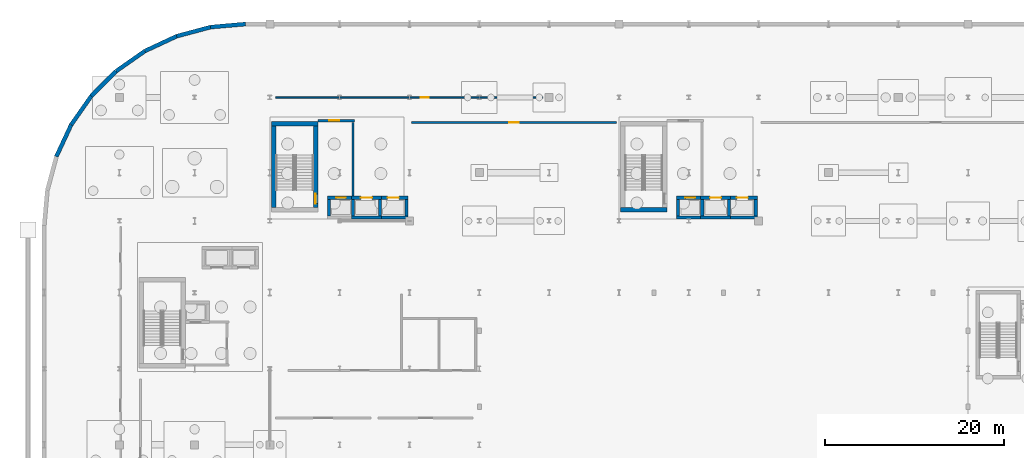
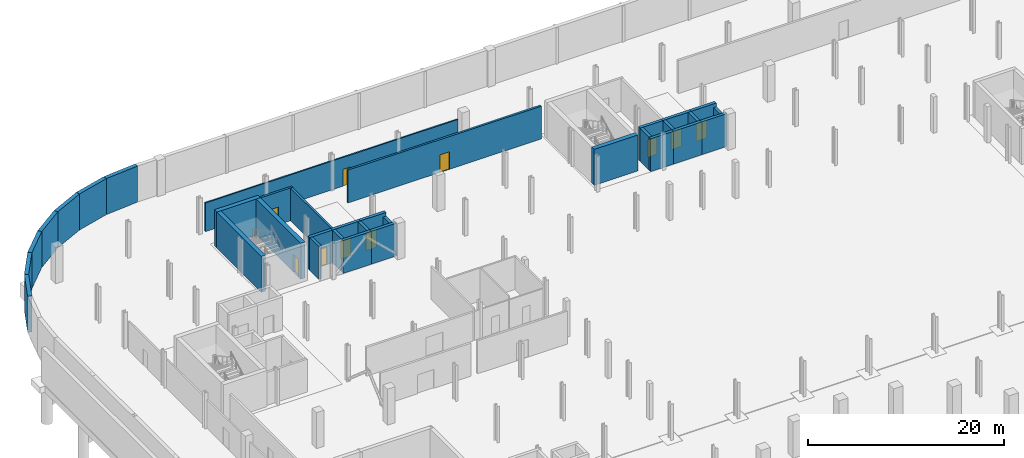
# One storey, part 27 of 45: 34 walls, 10 doors, 10 openings.
"""IFC4 building model written with IfcOpenShell, lengths in metres."""

from ifc_helpers import new_model, si_unit, direction, frame, frame_2d, origin, place, context, subcontext, project, spatial, rectangle, extrude, material, layer, layer_set, type_object, element, fill, save


model = new_model("IFC4")

# Units and contexts
model_context = context("Model", 3, precision=1e-05, world=origin(), true_north=direction((0.0, 1.0)))
body_context = subcontext(model_context, "Body", "Model", "MODEL_VIEW")
ifc_project = project(units=[si_unit("LENGTHUNIT", "METRE"), si_unit("AREAUNIT", "SQUARE_METRE"), si_unit("VOLUMEUNIT", "CUBIC_METRE"), si_unit("PLANEANGLEUNIT", "RADIAN"), si_unit("MASSUNIT", "GRAM", prefix="KILO")], contexts=[model_context])

# Site, building, storey
site_placement = place(None, origin())
site = spatial("IfcSite", under=ifc_project, at=site_placement, CompositionType="ELEMENT")
building_placement = place(site_placement, origin())
building = spatial("IfcBuilding", under=site, at=building_placement, Name="Sefraquen Railside Congress Hotel", CompositionType="ELEMENT")
storey_placement = place(building_placement, frame((0.0, 0.0, -4.5)))
storey = spatial("IfcBuildingStorey", under=building, at=storey_placement, Name="B01", CompositionType="ELEMENT", Elevation=-4.5)

# Wall, opening, door
ifc_material_1 = material(Name="Concrete C50/60", Category="concrete")
ifc_layer_1 = layer(ifc_material_1, 0.35009765625)
ifc_layer_set_1 = layer_set([ifc_layer_1], Name="Concrete C50/60")
wall_type_1 = type_object("IfcWallType", Name="TW-CW-350", PredefinedType="SHEAR", material=ifc_layer_set_1)
wall_1_placement = place(storey_placement, frame((31.639892578125, 98.594970703125, 0.0), z_axis=(0.0, 0.0, 1.0), x_axis=(1.0, 0.0, 0.0)))
wall_1 = element("IfcWall", 1, at=wall_1_placement, inside=storey, type_object=wall_type_1, Name="Lift FL-02 shaft wall N B01", PredefinedType="SHEAR", context=body_context, shape_type="SweptSolid", body=[
    extrude(rectangle(XDim=2.690185546875, YDim=0.35009765625, at=frame_2d((1.34521484375, 0.0))), origin(), (0.0, 0.0, 1.0), 4.10009765625),
])
opening_1_placement = place(wall_1_placement, frame((0.969970703125, 0.0, 0.0)))
opening_1 = element("IfcOpeningElement", 2, at=opening_1_placement, cuts=wall_1, Name="Opening LD-01", PredefinedType="OPENING", context=body_context, shape_type="SweptSolid", body=[
    extrude(rectangle(XDim=1.10009765625, YDim=2.199951171875, at=frame_2d((0.550048828125, 1.10009765625))), frame((0.0, 0.18505859375, 0.0), z_axis=(0.0, -1.0, 0.0), x_axis=(1.0, 0.0, 0.0)), (0.0, 0.0, 1.0), 0.3701171875),
])
ifc_material_2 = material(Name="Brushed bronze stainless steel", Category="steel")
door_type_1 = type_object("IfcDoorType", Name="TD-LD-01", OperationType="NOTDEFINED", PredefinedType="DOOR", material=ifc_material_2)
door_1_placement = place(opening_1_placement, origin())
door_1 = element("IfcDoor", 3, at=door_1_placement, inside=storey, type_object=door_type_1, Name="Lift landing door FL-02 B01", OperationType="SLIDING_TO_LEFT", OverallHeight=2.199951171875, OverallWidth=1.10009765625, PredefinedType="DOOR", context=body_context, shape_type="SweptSolid", body=[
    extrude(rectangle(XDim=1.10009765625, YDim=2.199951171875, at=frame_2d((0.550048828125, 1.10009765625))), frame((0.0, 0.02490234375, 0.0), z_axis=(0.0, -1.0, 0.0), x_axis=(1.0, 0.0, 0.0)), (0.0, 0.0, 1.0), 0.050048828125),
])
fill(opening_1, door_1)

# Wall
wall_2_placement = place(storey_placement, frame((31.81494140625, 96.580078125, 0.0), z_axis=(0.0, 0.0, 1.0), x_axis=(0.0, 1.0, 0.0)))
element("IfcWall", 4, at=wall_2_placement, inside=storey, type_object=wall_type_1, Name="Lift FL-02 shaft wall W B01", PredefinedType="SHEAR", context=body_context, shape_type="SweptSolid", body=[
    extrude(rectangle(XDim=1.83984375, YDim=0.35009765625, at=frame_2d((0.919921875, 0.0))), origin(), (0.0, 0.0, 1.0), 4.10009765625),
])

# Wall, opening, door
wall_3_placement = place(storey_placement, frame((70.639892578125, 98.594970703125, 0.0), z_axis=(0.0, 0.0, 1.0), x_axis=(1.0, 0.0, 0.0)))
wall_3 = element("IfcWall", 5, at=wall_3_placement, inside=storey, type_object=wall_type_1, Name="Lift FL-03 shaft wall N B01", PredefinedType="SHEAR", context=body_context, shape_type="SweptSolid", body=[
    extrude(rectangle(XDim=2.690185546875, YDim=0.35009765625, at=frame_2d((1.34521484375, 0.0))), origin(), (0.0, 0.0, 1.0), 4.10009765625),
])
opening_2_placement = place(wall_3_placement, frame((0.969970703125, 0.0, 0.0)))
opening_2 = element("IfcOpeningElement", 6, at=opening_2_placement, cuts=wall_3, Name="Opening LD-01", PredefinedType="OPENING", context=body_context, shape_type="SweptSolid", body=[
    extrude(rectangle(XDim=1.10009765625, YDim=2.199951171875, at=frame_2d((0.550048828125, 1.10009765625))), frame((0.0, 0.18505859375, 0.0), z_axis=(0.0, -1.0, 0.0), x_axis=(1.0, 0.0, 0.0)), (0.0, 0.0, 1.0), 0.3701171875),
])
door_2_placement = place(opening_2_placement, origin())
door_2 = element("IfcDoor", 7, at=door_2_placement, inside=storey, type_object=door_type_1, Name="Lift landing door FL-03 B01", OperationType="SLIDING_TO_LEFT", OverallHeight=2.199951171875, OverallWidth=1.10009765625, PredefinedType="DOOR", context=body_context, shape_type="SweptSolid", body=[
    extrude(rectangle(XDim=1.10009765625, YDim=2.199951171875, at=frame_2d((0.550048828125, 1.10009765625))), frame((0.0, 0.02490234375, 0.0), z_axis=(0.0, -1.0, 0.0), x_axis=(1.0, 0.0, 0.0)), (0.0, 0.0, 1.0), 0.050048828125),
])
fill(opening_2, door_2)

# Walls
wall_4_placement = place(storey_placement, frame((70.639892578125, 96.405029296875, 0.0), z_axis=(0.0, 0.0, 1.0), x_axis=(1.0, 0.0, 0.0)))
element("IfcWall", 8, at=wall_4_placement, inside=storey, type_object=wall_type_1, Name="Lift FL-03 shaft wall S B01", PredefinedType="SHEAR", context=body_context, shape_type="SweptSolid", body=[
    extrude(rectangle(XDim=2.690185546875, YDim=0.35009765625, at=frame_2d((1.34521484375, 0.0))), origin(), (0.0, 0.0, 1.0), 4.10009765625),
])
wall_5_placement = place(storey_placement, frame((70.81494140625, 96.580078125, 0.0), z_axis=(0.0, 0.0, 1.0), x_axis=(0.0, 1.0, 0.0)))
element("IfcWall", 9, at=wall_5_placement, inside=storey, type_object=wall_type_1, Name="Lift FL-03 shaft wall W B01", PredefinedType="SHEAR", context=body_context, shape_type="SweptSolid", body=[
    extrude(rectangle(XDim=1.83984375, YDim=0.35009765625, at=frame_2d((0.919921875, 0.0))), origin(), (0.0, 0.0, 1.0), 4.10009765625),
])

# Wall, opening, door
wall_6_placement = place(storey_placement, frame((34.330078125, 98.594970703125, 0.0), z_axis=(0.0, 0.0, 1.0), x_axis=(1.0, 0.0, 0.0)))
wall_6 = element("IfcWall", 10, at=wall_6_placement, inside=storey, type_object=wall_type_1, Name="Lift PL-03 shaft wall N B01", PredefinedType="SHEAR", context=body_context, shape_type="SweptSolid", body=[
    extrude(rectangle(XDim=3.33984375, YDim=0.35009765625, at=frame_2d((1.669921875, 0.0))), origin(), (0.0, 0.0, 1.0), 4.10009765625),
])
opening_3_placement = place(wall_6_placement, frame((1.044921875, 0.0, 0.0)))
opening_3 = element("IfcOpeningElement", 11, at=opening_3_placement, cuts=wall_6, Name="Opening LD-02", PredefinedType="OPENING", context=body_context, shape_type="SweptSolid", body=[
    extrude(rectangle(XDim=1.25, YDim=2.25, at=frame_2d((0.625, 1.125))), frame((0.0, 0.18505859375, 0.0), z_axis=(0.0, -1.0, 0.0), x_axis=(1.0, 0.0, 0.0)), (0.0, 0.0, 1.0), 0.3701171875),
])
ifc_material_3 = material(Name="Brushed stainless steel", Category="steel")
door_type_2 = type_object("IfcDoorType", Name="TD-LD-02", OperationType="NOTDEFINED", PredefinedType="DOOR", material=ifc_material_3)
door_3_placement = place(opening_3_placement, origin())
door_3 = element("IfcDoor", 12, at=door_3_placement, inside=storey, type_object=door_type_2, Name="Lift landing door PL-03 B01", OperationType="SLIDING_TO_LEFT", OverallHeight=2.25, OverallWidth=1.25, PredefinedType="DOOR", context=body_context, shape_type="SweptSolid", body=[
    extrude(rectangle(XDim=1.25, YDim=2.25, at=frame_2d((0.625, 1.125))), frame((0.0, 0.02490234375, 0.0), z_axis=(0.0, -1.0, 0.0), x_axis=(1.0, 0.0, 0.0)), (0.0, 0.0, 1.0), 0.050048828125),
])
fill(opening_3, door_3)

# Walls
wall_7_placement = place(storey_placement, frame((34.330078125, 96.405029296875, 0.0), z_axis=(0.0, 0.0, 1.0), x_axis=(1.0, 0.0, 0.0)))
element("IfcWall", 13, at=wall_7_placement, inside=storey, type_object=wall_type_1, Name="Lift PL-03 shaft wall S B01", PredefinedType="SHEAR", context=body_context, shape_type="SweptSolid", body=[
    extrude(rectangle(XDim=3.33984375, YDim=0.35009765625, at=frame_2d((1.669921875, 0.0))), origin(), (0.0, 0.0, 1.0), 4.10009765625),
])
for number, where, z_axis, x_axis, name in (
    (14, (34.5048828125, 96.580078125, 0.0), (0.0, 0.0, 1.0), (0.0, 1.0, 0.0), "Lift PL-03 shaft wall W B01"),
    (15, (37.4951171875, 96.580078125, 0.0), (0.0, 0.0, 1.0), (0.0, 1.0, 0.0), "Lift PL-03 shaft wall E B01"),
):
    element("IfcWall", number, at=place(storey_placement, frame(where, z_axis=z_axis, x_axis=x_axis)), inside=storey, type_object=wall_type_1, Name=name, PredefinedType="SHEAR", context=body_context, shape_type="SweptSolid", body=[
        extrude(rectangle(XDim=1.83984375, YDim=0.35009765625, at=frame_2d((0.919921875, 0.0))), origin(), (0.0, 0.0, 1.0), 4.10009765625),
    ])

# Wall, opening, door
wall_8_placement = place(storey_placement, frame((37.669921875, 98.594970703125, 0.0), z_axis=(0.0, 0.0, 1.0), x_axis=(1.0, 0.0, 0.0)))
wall_8 = element("IfcWall", 16, at=wall_8_placement, inside=storey, type_object=wall_type_1, Name="Lift PL-04 shaft wall N B01", PredefinedType="SHEAR", context=body_context, shape_type="SweptSolid", body=[
    extrude(rectangle(XDim=2.989990234375, YDim=0.35009765625, at=frame_2d((1.4951171875, 0.0))), origin(), (0.0, 0.0, 1.0), 4.10009765625),
])
opening_4_placement = place(wall_8_placement, frame((0.695068359375, 0.0, 0.0)))
opening_4 = element("IfcOpeningElement", 17, at=opening_4_placement, cuts=wall_8, Name="Opening LD-02", PredefinedType="OPENING", context=body_context, shape_type="SweptSolid", body=[
    extrude(rectangle(XDim=1.25, YDim=2.25, at=frame_2d((0.625, 1.125))), frame((0.0, 0.18505859375, 0.0), z_axis=(0.0, -1.0, 0.0), x_axis=(1.0, 0.0, 0.0)), (0.0, 0.0, 1.0), 0.3701171875),
])
door_4_placement = place(opening_4_placement, origin())
door_4 = element("IfcDoor", 18, at=door_4_placement, inside=storey, type_object=door_type_2, Name="Lift landing door PL-04 B01", OperationType="SLIDING_TO_LEFT", OverallHeight=2.25, OverallWidth=1.25, PredefinedType="DOOR", context=body_context, shape_type="SweptSolid", body=[
    extrude(rectangle(XDim=1.25, YDim=2.25, at=frame_2d((0.625, 1.125))), frame((0.0, 0.02490234375, 0.0), z_axis=(0.0, -1.0, 0.0), x_axis=(1.0, 0.0, 0.0)), (0.0, 0.0, 1.0), 0.050048828125),
])
fill(opening_4, door_4)

# Walls
wall_9_placement = place(storey_placement, frame((37.669921875, 96.405029296875, 0.0), z_axis=(0.0, 0.0, 1.0), x_axis=(1.0, 0.0, 0.0)))
element("IfcWall", 19, at=wall_9_placement, inside=storey, type_object=wall_type_1, Name="Lift PL-04 shaft wall S B01", PredefinedType="SHEAR", context=body_context, shape_type="SweptSolid", body=[
    extrude(rectangle(XDim=2.989990234375, YDim=0.35009765625, at=frame_2d((1.4951171875, 0.0))), origin(), (0.0, 0.0, 1.0), 4.10009765625),
])
wall_10_placement = place(storey_placement, frame((40.485107421875, 96.580078125, 0.0), z_axis=(0.0, 0.0, 1.0), x_axis=(0.0, 1.0, 0.0)))
element("IfcWall", 20, at=wall_10_placement, inside=storey, type_object=wall_type_1, Name="Lift PL-04 shaft wall E B01", PredefinedType="SHEAR", context=body_context, shape_type="SweptSolid", body=[
    extrude(rectangle(XDim=1.83984375, YDim=0.35009765625, at=frame_2d((0.919921875, 0.0))), origin(), (0.0, 0.0, 1.0), 3.639892578125),
])

# Wall, opening, door
wall_11_placement = place(storey_placement, frame((73.330078125, 98.594970703125, 0.0), z_axis=(0.0, 0.0, 1.0), x_axis=(1.0, 0.0, 0.0)))
wall_11 = element("IfcWall", 21, at=wall_11_placement, inside=storey, type_object=wall_type_1, Name="Lift PL-05 shaft wall N B01", PredefinedType="SHEAR", context=body_context, shape_type="SweptSolid", body=[
    extrude(rectangle(XDim=3.33984375, YDim=0.35009765625, at=frame_2d((1.669921875, 0.0))), origin(), (0.0, 0.0, 1.0), 4.10009765625),
])
opening_5_placement = place(wall_11_placement, frame((1.044921875, 0.0, 0.0)))
opening_5 = element("IfcOpeningElement", 22, at=opening_5_placement, cuts=wall_11, Name="Opening LD-02", PredefinedType="OPENING", context=body_context, shape_type="SweptSolid", body=[
    extrude(rectangle(XDim=1.25, YDim=2.25, at=frame_2d((0.625, 1.125))), frame((0.0, 0.18505859375, 0.0), z_axis=(0.0, -1.0, 0.0), x_axis=(1.0, 0.0, 0.0)), (0.0, 0.0, 1.0), 0.3701171875),
])
door_5_placement = place(opening_5_placement, origin())
door_5 = element("IfcDoor", 23, at=door_5_placement, inside=storey, type_object=door_type_2, Name="Lift landing door PL-05 B01", OperationType="SLIDING_TO_LEFT", OverallHeight=2.25, OverallWidth=1.25, PredefinedType="DOOR", context=body_context, shape_type="SweptSolid", body=[
    extrude(rectangle(XDim=1.25, YDim=2.25, at=frame_2d((0.625, 1.125))), frame((0.0, 0.02490234375, 0.0), z_axis=(0.0, -1.0, 0.0), x_axis=(1.0, 0.0, 0.0)), (0.0, 0.0, 1.0), 0.050048828125),
])
fill(opening_5, door_5)

# Walls
wall_12_placement = place(storey_placement, frame((73.330078125, 96.405029296875, 0.0), z_axis=(0.0, 0.0, 1.0), x_axis=(1.0, 0.0, 0.0)))
element("IfcWall", 24, at=wall_12_placement, inside=storey, type_object=wall_type_1, Name="Lift PL-05 shaft wall S B01", PredefinedType="SHEAR", context=body_context, shape_type="SweptSolid", body=[
    extrude(rectangle(XDim=3.33984375, YDim=0.35009765625, at=frame_2d((1.669921875, 0.0))), origin(), (0.0, 0.0, 1.0), 4.10009765625),
])
for number, where, z_axis, x_axis, name in (
    (25, (73.5048828125, 96.580078125, 0.0), (0.0, 0.0, 1.0), (0.0, 1.0, 0.0), "Lift PL-05 shaft wall W B01"),
    (26, (76.4951171875, 96.580078125, 0.0), (0.0, 0.0, 1.0), (0.0, 1.0, 0.0), "Lift PL-05 shaft wall E B01"),
):
    element("IfcWall", number, at=place(storey_placement, frame(where, z_axis=z_axis, x_axis=x_axis)), inside=storey, type_object=wall_type_1, Name=name, PredefinedType="SHEAR", context=body_context, shape_type="SweptSolid", body=[
        extrude(rectangle(XDim=1.83984375, YDim=0.35009765625, at=frame_2d((0.919921875, 0.0))), origin(), (0.0, 0.0, 1.0), 4.10009765625),
    ])

# Wall, opening, door
wall_13_placement = place(storey_placement, frame((76.669921875, 98.594970703125, 0.0), z_axis=(0.0, 0.0, 1.0), x_axis=(1.0, 0.0, 0.0)))
wall_13 = element("IfcWall", 27, at=wall_13_placement, inside=storey, type_object=wall_type_1, Name="Lift PL-06 shaft wall N B01", PredefinedType="SHEAR", context=body_context, shape_type="SweptSolid", body=[
    extrude(rectangle(XDim=2.989990234375, YDim=0.35009765625, at=frame_2d((1.4951171875, 0.0))), origin(), (0.0, 0.0, 1.0), 4.10009765625),
])
opening_6_placement = place(wall_13_placement, frame((0.695068359375, 0.0, 0.0)))
opening_6 = element("IfcOpeningElement", 28, at=opening_6_placement, cuts=wall_13, Name="Opening LD-02", PredefinedType="OPENING", context=body_context, shape_type="SweptSolid", body=[
    extrude(rectangle(XDim=1.25, YDim=2.25, at=frame_2d((0.625, 1.125))), frame((0.0, 0.18505859375, 0.0), z_axis=(0.0, -1.0, 0.0), x_axis=(1.0, 0.0, 0.0)), (0.0, 0.0, 1.0), 0.3701171875),
])
door_6_placement = place(opening_6_placement, origin())
door_6 = element("IfcDoor", 29, at=door_6_placement, inside=storey, type_object=door_type_2, Name="Lift landing door PL-06 B01", OperationType="SLIDING_TO_LEFT", OverallHeight=2.25, OverallWidth=1.25, PredefinedType="DOOR", context=body_context, shape_type="SweptSolid", body=[
    extrude(rectangle(XDim=1.25, YDim=2.25, at=frame_2d((0.625, 1.125))), frame((0.0, 0.02490234375, 0.0), z_axis=(0.0, -1.0, 0.0), x_axis=(1.0, 0.0, 0.0)), (0.0, 0.0, 1.0), 0.050048828125),
])
fill(opening_6, door_6)

# Walls
wall_14_placement = place(storey_placement, frame((76.669921875, 96.405029296875, 0.0), z_axis=(0.0, 0.0, 1.0), x_axis=(1.0, 0.0, 0.0)))
element("IfcWall", 30, at=wall_14_placement, inside=storey, type_object=wall_type_1, Name="Lift PL-06 shaft wall S B01", PredefinedType="SHEAR", context=body_context, shape_type="SweptSolid", body=[
    extrude(rectangle(XDim=2.989990234375, YDim=0.35009765625, at=frame_2d((1.4951171875, 0.0))), origin(), (0.0, 0.0, 1.0), 4.10009765625),
])
wall_15_placement = place(storey_placement, frame((79.485107421875, 96.580078125, 0.0), z_axis=(0.0, 0.0, 1.0), x_axis=(0.0, 1.0, 0.0)))
element("IfcWall", 31, at=wall_15_placement, inside=storey, type_object=wall_type_1, Name="Lift PL-06 shaft wall E B01", PredefinedType="SHEAR", context=body_context, shape_type="SweptSolid", body=[
    extrude(rectangle(XDim=1.83984375, YDim=0.35009765625, at=frame_2d((0.919921875, 0.0))), origin(), (0.0, 0.0, 1.0), 3.639892578125),
])
ifc_layer_2 = layer(ifc_material_1, 0.5)
ifc_layer_set_2 = layer_set([ifc_layer_2], Name="Concrete C50/60")
wall_type_2 = type_object("IfcWallType", Name="TW-CW-500", PredefinedType="SHEAR", material=ifc_layer_set_2)
wall_16_placement = place(storey_placement, frame((25.39990234375, 106.862060546875, 0.0), z_axis=(0.0, 0.0, 1.0), x_axis=(1.0, 0.0, 0.0)))
element("IfcWall", 32, at=wall_16_placement, inside=storey, type_object=wall_type_2, Name="Core shear wall ST-H02 N B01", PredefinedType="SHEAR", context=body_context, shape_type="SweptSolid", body=[
    extrude(rectangle(XDim=5.16015625, YDim=0.5, at=frame_2d((2.580078125, 0.0))), origin(), (0.0, 0.0, 1.0), 4.5),
])
wall_17_placement = place(storey_placement, frame((25.64990234375, 97.5, 0.0), z_axis=(0.0, 0.0, 1.0), x_axis=(0.0, 1.0, 0.0)))
element("IfcWall", 33, at=wall_17_placement, inside=storey, type_object=wall_type_2, Name="Core shear wall ST-H02 W B01", PredefinedType="SHEAR", context=body_context, shape_type="SweptSolid", body=[
    extrude(rectangle(XDim=9.112060546875, YDim=0.5, at=frame_2d((4.55615234375, 0.0))), origin(), (0.0, 0.0, 1.0), 4.5),
])

# Wall, opening, door
wall_18_placement = place(storey_placement, frame((30.31005859375, 97.5, 0.0), z_axis=(0.0, 0.0, 1.0), x_axis=(0.0, 1.0, 0.0)))
wall_18 = element("IfcWall", 34, at=wall_18_placement, inside=storey, type_object=wall_type_2, Name="Core shear wall ST-H02 E B01", PredefinedType="SHEAR", context=body_context, shape_type="SweptSolid", body=[
    extrude(rectangle(XDim=9.112060546875, YDim=0.5, at=frame_2d((4.55615234375, 0.0))), origin(), (0.0, 0.0, 1.0), 4.5),
])
opening_7_placement = place(wall_18_placement, frame((0.43994140625, 0.0, 0.0)))
opening_7 = element("IfcOpeningElement", 35, at=opening_7_placement, cuts=wall_18, Name="Opening FD-04", PredefinedType="OPENING", context=body_context, shape_type="SweptSolid", body=[
    extrude(rectangle(XDim=1.10009765625, YDim=2.199951171875, at=frame_2d((0.550048828125, 1.10009765625))), frame((0.0, 0.260009765625, 0.0), z_axis=(0.0, -1.0, 0.0), x_axis=(1.0, 0.0, 0.0)), (0.0, 0.0, 1.0), 0.52001953125),
])
ifc_material_4 = material(Name="Fire-rated steel", Category="steel")
door_type_3 = type_object("IfcDoorType", Name="TD-FD-04", OperationType="NOTDEFINED", PredefinedType="DOOR", material=ifc_material_4)
door_7_placement = place(opening_7_placement, origin())
door_7 = element("IfcDoor", 36, at=door_7_placement, inside=storey, type_object=door_type_3, Name="Pressurized stair ST-H02 fire door B01", OperationType="SINGLE_SWING_LEFT", OverallHeight=2.199951171875, OverallWidth=1.10009765625, PredefinedType="DOOR", context=body_context, shape_type="SweptSolid", body=[
    extrude(rectangle(XDim=1.10009765625, YDim=2.199951171875, at=frame_2d((0.550048828125, 1.10009765625))), frame((0.0, 0.02490234375, 0.0), z_axis=(0.0, -1.0, 0.0), x_axis=(1.0, 0.0, 0.0)), (0.0, 0.0, 1.0), 0.050048828125),
])
fill(opening_7, door_7)

# Walls
wall_19_placement = place(storey_placement, frame((64.39990234375, 97.25, 0.0), z_axis=(0.0, 0.0, 1.0), x_axis=(1.0, 0.0, 0.0)))
element("IfcWall", 37, at=wall_19_placement, inside=storey, type_object=wall_type_2, Name="Core shear wall ST-H03 S B01", PredefinedType="SHEAR", context=body_context, shape_type="SweptSolid", body=[
    extrude(rectangle(XDim=5.16015625, YDim=0.5, at=frame_2d((2.580078125, 0.0))), origin(), (0.0, 0.0, 1.0), 4.5),
])
ifc_material_5 = material(Name="Concrete C40/50", Category="concrete")
ifc_layer_3 = layer(ifc_material_5, 0.239990234375)
ifc_layer_set_3 = layer_set([ifc_layer_3], Name="Concrete C40/50")
wall_type_3 = type_object("IfcWallType", Name="TW-FW-240", PredefinedType="STANDARD", material=ifc_layer_set_3)
wall_20_placement = place(storey_placement, frame((34.47998046875, 98.780029296875, 0.0), z_axis=(0.0, 0.0, 1.0), x_axis=(0.0, 1.0, 0.0)))
element("IfcWall", 38, at=wall_20_placement, inside=storey, type_object=wall_type_3, Name="Firefighting Lift Lobby FFL-02 east fire wall B01", PredefinedType="STANDARD", context=body_context, shape_type="SweptSolid", body=[
    extrude(rectangle(XDim=8.239990234375, YDim=0.239990234375, at=frame_2d((4.1201171875, 0.0))), origin(), (0.0, 0.0, 1.0), 4.10009765625),
])

# Wall, opening, door
wall_21_placement = place(storey_placement, frame((30.56005859375, 107.199951171875, 0.0), z_axis=(0.0, 0.0, 1.0), x_axis=(1.0, 0.0, 0.0)))
wall_21 = element("IfcWall", 39, at=wall_21_placement, inside=storey, type_object=wall_type_3, Name="Firefighting Lift Lobby FFL-02 EI 120 separation wall B01", PredefinedType="STANDARD", context=body_context, shape_type="SweptSolid", body=[
    extrude(rectangle(XDim=4.099853515625, YDim=0.239990234375, at=frame_2d((2.0498046875, 0.0))), origin(), (0.0, 0.0, 1.0), 4.10009765625),
])
opening_8_placement = place(wall_21_placement, frame((1.300048828125, 0.0, 0.0)))
opening_8 = element("IfcOpeningElement", 40, at=opening_8_placement, cuts=wall_21, Name="Opening FD-04", PredefinedType="OPENING", context=body_context, shape_type="SweptSolid", body=[
    extrude(rectangle(XDim=1.10009765625, YDim=2.199951171875, at=frame_2d((0.550048828125, 1.10009765625))), frame((0.0, 0.1298828125, 0.0), z_axis=(0.0, -1.0, 0.0), x_axis=(1.0, 0.0, 0.0)), (0.0, 0.0, 1.0), 0.260009765625),
])
door_8_placement = place(opening_8_placement, origin())
door_8 = element("IfcDoor", 41, at=door_8_placement, inside=storey, type_object=door_type_3, Name="Firefighting Lift Lobby FFL-02 self-closing fire door B01", OperationType="SINGLE_SWING_LEFT", OverallHeight=2.199951171875, OverallWidth=1.10009765625, PredefinedType="DOOR", context=body_context, shape_type="SweptSolid", body=[
    extrude(rectangle(XDim=1.10009765625, YDim=2.199951171875, at=frame_2d((0.550048828125, 1.10009765625))), frame((0.0, 0.02490234375, 0.0), z_axis=(0.0, -1.0, 0.0), x_axis=(1.0, 0.0, 0.0)), (0.0, 0.0, 1.0), 0.050048828125),
])
fill(opening_8, door_8)

wall_22_placement = place(storey_placement, frame((41.050048828125, 107.0, 0.0), z_axis=(0.0, 0.0, 1.0), x_axis=(1.0, 0.0, 0.0)))
wall_22 = element("IfcWall", 42, at=wall_22_placement, inside=storey, type_object=wall_type_3, Name="MV-LV Transformer Substation Plant Room enclosure wall", PredefinedType="STANDARD", context=body_context, shape_type="SweptSolid", body=[
    extrude(rectangle(XDim=22.849853515625, YDim=0.239990234375, at=frame_2d((11.4248046875, 0.0))), origin(), (0.0, 0.0, 1.0), 4.10009765625),
])
opening_9_placement = place(wall_22_placement, frame((10.875, 0.0, 0.0)))
opening_9 = element("IfcOpeningElement", 43, at=opening_9_placement, cuts=wall_22, Name="Opening FD-04", PredefinedType="OPENING", context=body_context, shape_type="SweptSolid", body=[
    extrude(rectangle(XDim=1.10009765625, YDim=2.199951171875, at=frame_2d((0.550048828125, 1.10009765625))), frame((0.0, 0.1298828125, 0.0), z_axis=(0.0, -1.0, 0.0), x_axis=(1.0, 0.0, 0.0)), (0.0, 0.0, 1.0), 0.260009765625),
])
door_9_placement = place(opening_9_placement, origin())
door_9 = element("IfcDoor", 44, at=door_9_placement, inside=storey, type_object=door_type_3, Name="MV-LV Transformer Substation Plant Room entrance door", OperationType="SINGLE_SWING_RIGHT", OverallHeight=2.199951171875, OverallWidth=1.10009765625, PredefinedType="DOOR", context=body_context, shape_type="SweptSolid", body=[
    extrude(rectangle(XDim=1.10009765625, YDim=2.199951171875, at=frame_2d((0.550048828125, 1.10009765625))), frame((0.0, 0.02490234375, 0.0), z_axis=(0.0, -1.0, 0.0), x_axis=(1.0, 0.0, 0.0)), (0.0, 0.0, 1.0), 0.050048828125),
])
fill(opening_9, door_9)

ifc_material_6 = material(Name="Moisture-resistant gypsum board", Category="gypsum")
ifc_layer_4 = layer(ifc_material_6, 0.159912109375)
ifc_layer_set_4 = layer_set([ifc_layer_4], Name="Moisture-resistant gypsum board")
wall_type_4 = type_object("IfcWallType", Name="TW-PW-160", PredefinedType="PARTITIONING", material=ifc_layer_set_4)
wall_23_placement = place(storey_placement, frame((25.85009765625, 109.800048828125, 0.0), z_axis=(0.0, 0.0, 1.0), x_axis=(1.0, 0.0, 0.0)))
wall_23 = element("IfcWall", 45, at=wall_23_placement, inside=storey, type_object=wall_type_4, Name="Staff Dining Canteen and Locker Changing Room enclosure wall", PredefinedType="PARTITIONING", context=body_context, shape_type="SweptSolid", body=[
    extrude(rectangle(XDim=29.849853515625, YDim=0.159912109375, at=frame_2d((14.9248046875, 0.0))), origin(), (0.0, 0.0, 1.0), 3.590087890625),
])
opening_10_placement = place(wall_23_placement, frame((16.22509765625, 0.0, 0.0)))
opening_10 = element("IfcOpeningElement", 46, at=opening_10_placement, cuts=wall_23, Name="Opening ID-02", PredefinedType="OPENING", context=body_context, shape_type="SweptSolid", body=[
    extrude(rectangle(XDim=0.89990234375, YDim=2.10009765625, at=frame_2d((0.449951171875, 1.050048828125))), frame((0.0, 0.08984375, 0.0), z_axis=(0.0, -1.0, 0.0), x_axis=(1.0, 0.0, 0.0)), (0.0, 0.0, 1.0), 0.179931640625),
])
ifc_material_7 = material(Name="Lacquered cedar joinery", Category="wood")
door_type_4 = type_object("IfcDoorType", Name="TD-ID-02", OperationType="NOTDEFINED", PredefinedType="DOOR", material=ifc_material_7)
door_10_placement = place(opening_10_placement, origin())
door_10 = element("IfcDoor", 47, at=door_10_placement, inside=storey, type_object=door_type_4, Name="Staff Dining Canteen and Locker Changing Room entrance door", OperationType="SINGLE_SWING_RIGHT", OverallHeight=2.10009765625, OverallWidth=0.89990234375, PredefinedType="DOOR", context=body_context, shape_type="SweptSolid", body=[
    extrude(rectangle(XDim=0.89990234375, YDim=2.10009765625, at=frame_2d((0.449951171875, 1.050048828125))), frame((0.0, 0.02490234375, 0.0), z_axis=(0.0, -1.0, 0.0), x_axis=(1.0, 0.0, 0.0)), (0.0, 0.0, 1.0), 0.050048828125),
])
fill(opening_10, door_10)

# Walls
ifc_layer_5 = layer(ifc_material_5, 0.449951171875)
ifc_layer_set_5 = layer_set([ifc_layer_5], Name="Concrete C40/50")
wall_type_5 = type_object("IfcWallType", Name="TW-RW-450", PredefinedType="SOLIDWALL", material=ifc_layer_set_5)
wall_24_placement = place(storey_placement, frame((22.5, 118.0, 0.0), z_axis=(0.0, 0.0, 1.0), x_axis=(-0.996195136317, -0.087150733665, 0.0)))
element("IfcWall", 48, at=wall_24_placement, inside=storey, type_object=wall_type_5, Name="Basement retaining wall W-B01-RW-10", PredefinedType="SOLIDWALL", context=body_context, shape_type="SweptSolid", body=[
    extrude(rectangle(XDim=3.921875, YDim=0.449951171875, at=frame_2d((1.9609375, 0.0))), origin(), (0.0, 0.0, 1.0), 4.5),
])
wall_25_placement = place(storey_placement, frame((18.593017578125, 117.658203125, 0.0), z_axis=(0.0, 0.0, 1.0), x_axis=(-0.965926379777, -0.25881697945, 0.0)))
element("IfcWall", 49, at=wall_25_placement, inside=storey, type_object=wall_type_5, Name="Basement retaining wall W-B01-RW-11", PredefinedType="SOLIDWALL", context=body_context, shape_type="SweptSolid", body=[
    extrude(rectangle(XDim=3.922119140625, YDim=0.449951171875, at=frame_2d((1.9609375, 0.0))), origin(), (0.0, 0.0, 1.0), 4.5),
])
for number, where, z_axis, x_axis, name in (
    (50, (14.804443359375, 116.64306640625, 0.0), (0.0, 0.0, 1.0), (-0.906307147916, -0.422619632337, 0.0), "Basement retaining wall W-B01-RW-12"),
    (51, (11.25, 114.985595703125, 0.0), (0.0, 0.0, 1.0), (-0.819152950842, -0.573575141657, 0.0), "Basement retaining wall W-B01-RW-13"),
):
    element("IfcWall", number, at=place(storey_placement, frame(where, z_axis=z_axis, x_axis=x_axis)), inside=storey, type_object=wall_type_5, Name=name, PredefinedType="SOLIDWALL", context=body_context, shape_type="SweptSolid", body=[
        extrude(rectangle(XDim=3.921875, YDim=0.449951171875, at=frame_2d((1.9609375, 0.0))), origin(), (0.0, 0.0, 1.0), 4.5),
    ])
wall_26_placement = place(storey_placement, frame((8.037353515625, 112.736083984375, 0.0), z_axis=(0.0, 0.0, 1.0), x_axis=(-0.707106781187, -0.707106781187, 0.0)))
element("IfcWall", 52, at=wall_26_placement, inside=storey, type_object=wall_type_5, Name="Basement retaining wall W-B01-RW-14", PredefinedType="SOLIDWALL", context=body_context, shape_type="SweptSolid", body=[
    extrude(rectangle(XDim=3.922119140625, YDim=0.449951171875, at=frame_2d((1.9609375, 0.0))), origin(), (0.0, 0.0, 1.0), 4.5),
])
for number, where, z_axis, x_axis, name in (
    (53, (5.263916015625, 109.962646484375, 0.0), (0.0, 0.0, 1.0), (-0.573575141657, -0.819152950842, 0.0), "Basement retaining wall W-B01-RW-15"),
    (54, (3.014404296875, 106.75, 0.0), (0.0, 0.0, 1.0), (-0.422619632337, -0.906307147916, 0.0), "Basement retaining wall W-B01-RW-16"),
):
    element("IfcWall", number, at=place(storey_placement, frame(where, z_axis=z_axis, x_axis=x_axis)), inside=storey, type_object=wall_type_5, Name=name, PredefinedType="SOLIDWALL", context=body_context, shape_type="SweptSolid", body=[
        extrude(rectangle(XDim=3.921875, YDim=0.449951171875, at=frame_2d((1.9609375, 0.0))), origin(), (0.0, 0.0, 1.0), 4.5),
    ])

save(model, "model.ifc")
